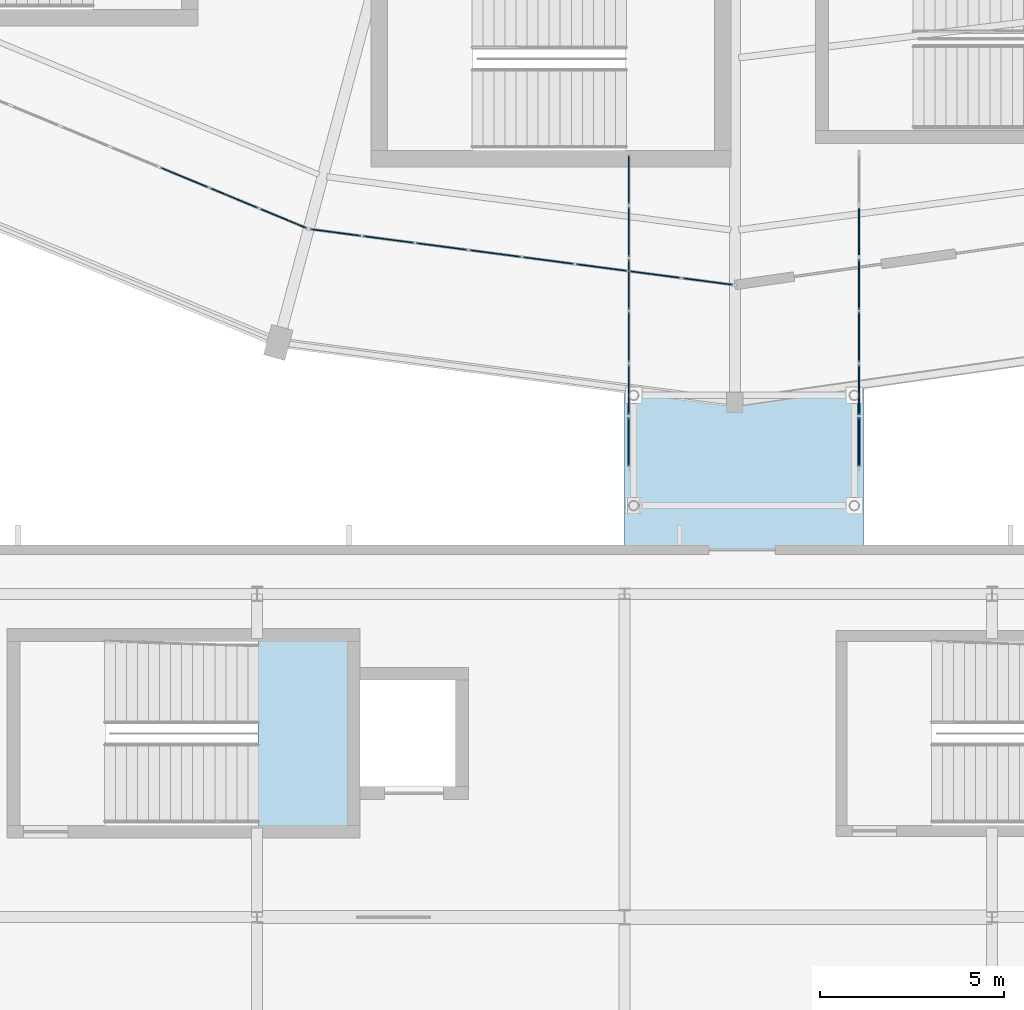
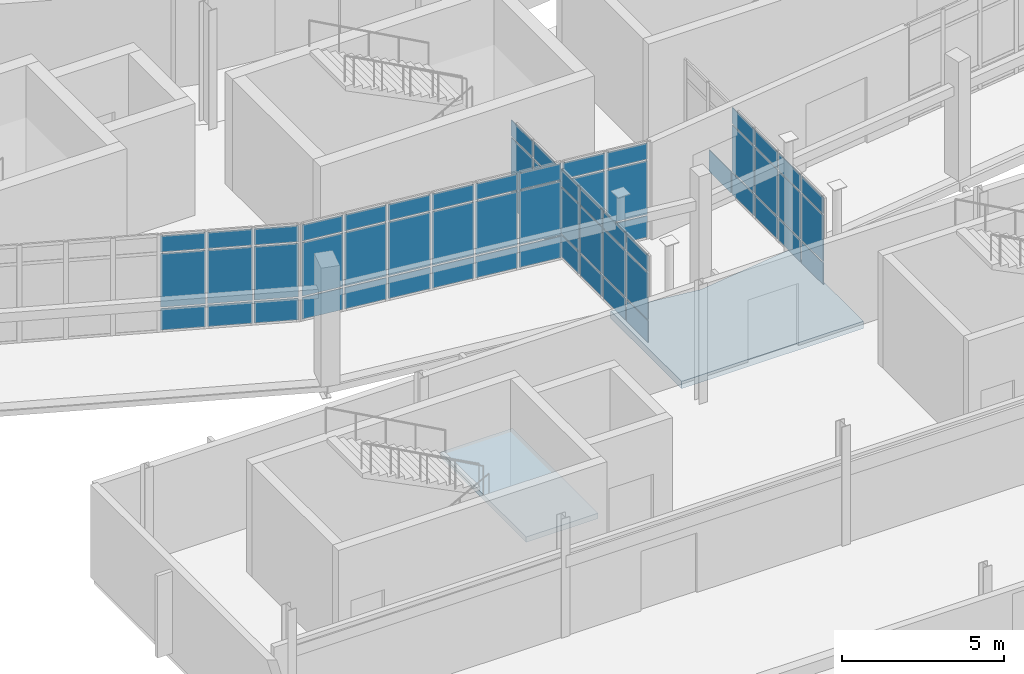
# One storey, part 80 of 122: 64 plates, 2 slabs, 5 elements without a shape of their own.
"""IFC4 building model written with IfcOpenShell, lengths in metres."""

from ifc_helpers import new_model, si_unit, direction, frame, origin, origin_2d, place, context, subcontext, project, spatial, polyline, rectangle, outline, extrude, material, layer, layer_set, type_object, element, aggregate, save


model = new_model("IFC4")

# Units and contexts
model_context = context("Model", 3, precision=1e-05, world=origin(), true_north=direction((0.0, 1.0)))
body_context = subcontext(model_context, "Body", "Model", "MODEL_VIEW")
ifc_project = project(units=[si_unit("LENGTHUNIT", "METRE"), si_unit("AREAUNIT", "SQUARE_METRE"), si_unit("VOLUMEUNIT", "CUBIC_METRE"), si_unit("PLANEANGLEUNIT", "RADIAN"), si_unit("MASSUNIT", "GRAM", prefix="KILO")], contexts=[model_context])

# Site, building, storey
site_placement = place(None, origin())
site = spatial("IfcSite", under=ifc_project, at=site_placement, CompositionType="ELEMENT")
building_placement = place(site_placement, origin())
building = spatial("IfcBuilding", under=site, at=building_placement, Name="Sohan Crest Arena", CompositionType="ELEMENT")
storey_placement = place(building_placement, origin())
storey = spatial("IfcBuildingStorey", under=building, at=storey_placement, Name="L00", CompositionType="ELEMENT", Elevation=0.0)

# Curtain wall, plates
ifc_material_1 = material(Name="Thermally broken anodised aluminium", Category="aluminium")
ifc_layer_1 = layer(ifc_material_1, 0.179931640625, Name="Thermally broken anodised aluminium")
ifc_layer_set_1 = layer_set([ifc_layer_1], Name="Thermally broken anodised aluminium")
curtain_wall_type_1 = type_object("IfcCurtainWallType", Name="ARC-CW01", PredefinedType="NOTDEFINED", material=ifc_layer_set_1)
curtain_wall_1_placement = place(storey_placement, origin())
curtain_wall_1 = element("IfcCurtainWall", 1, at=curtain_wall_1_placement, inside=storey, type_object=curtain_wall_type_1, Name="Unitised curtain wall CW-006", PredefinedType="NOTDEFINED")
ifc_material_2 = material(Name="Low-E double-glazed insulated glass", Category="glass")
ifc_layer_2 = layer(ifc_material_2, 0.028076171875, Name="Low-E double-glazed insulated glass")
ifc_layer_set_2 = layer_set([ifc_layer_2], Name="Low-E double-glazed insulated glass")
plate_type = type_object("IfcPlateType", Name="ARC-CNP01", PredefinedType="CURTAIN_PANEL", material=ifc_layer_set_2)
plate_1_placement = place(storey_placement, frame((83.0283203125, 36.12548828125, 0.06005859375), z_axis=(0.0, 0.0, 1.0), x_axis=(0.923896991255, -0.38264128051, 0.0)))
plate_1 = element("IfcPlate", 2, at=plate_1_placement, type_object=plate_type, Name="CW-006 panel 6.1", PredefinedType="CURTAIN_PANEL", context=body_context, shape_type="SweptSolid", body=[
    extrude(rectangle(XDim=1.40185546875, YDim=0.028076171875, at=origin_2d()), origin(), (0.0, 0.0, 1.0), 0.81005859375),
])
plate_2_placement = place(storey_placement, frame((83.0283203125, 36.12548828125, 0.929931640625), z_axis=(0.0, 0.0, 1.0), x_axis=(0.923896991255, -0.38264128051, 0.0)))
plate_2 = element("IfcPlate", 3, at=plate_2_placement, type_object=plate_type, Name="CW-006 panel 6.2", PredefinedType="CURTAIN_PANEL", context=body_context, shape_type="SweptSolid", body=[
    extrude(rectangle(XDim=1.40185546875, YDim=0.028076171875, at=origin_2d()), origin(), (0.0, 0.0, 1.0), 2.02001953125),
])
plate_3_placement = place(storey_placement, frame((83.0283203125, 36.12548828125, 3.009765625), z_axis=(0.0, 0.0, 1.0), x_axis=(0.923896991255, -0.38264128051, 0.0)))
plate_3 = element("IfcPlate", 4, at=plate_3_placement, type_object=plate_type, Name="CW-006 panel 6.3", PredefinedType="CURTAIN_PANEL", context=body_context, shape_type="SweptSolid", body=[
    extrude(rectangle(XDim=1.40185546875, YDim=0.028076171875, at=origin_2d()), origin(), (0.0, 0.0, 1.0), 0.610107421875),
])
plate_4_placement = place(storey_placement, frame((84.379150390625, 35.566162109375, 0.06005859375), z_axis=(0.0, 0.0, 1.0), x_axis=(0.923896991255, -0.38264128051, 0.0)))
plate_4 = element("IfcPlate", 5, at=plate_4_placement, type_object=plate_type, Name="CW-006 panel 7.1", PredefinedType="CURTAIN_PANEL", context=body_context, shape_type="SweptSolid", body=[
    extrude(rectangle(XDim=1.40185546875, YDim=0.028076171875, at=origin_2d()), origin(), (0.0, 0.0, 1.0), 0.81005859375),
])
plate_5_placement = place(storey_placement, frame((84.379150390625, 35.566162109375, 0.929931640625), z_axis=(0.0, 0.0, 1.0), x_axis=(0.923896991255, -0.38264128051, 0.0)))
plate_5 = element("IfcPlate", 6, at=plate_5_placement, type_object=plate_type, Name="CW-006 panel 7.2", PredefinedType="CURTAIN_PANEL", context=body_context, shape_type="SweptSolid", body=[
    extrude(rectangle(XDim=1.40185546875, YDim=0.028076171875, at=origin_2d()), origin(), (0.0, 0.0, 1.0), 2.02001953125),
])
plate_6_placement = place(storey_placement, frame((84.379150390625, 35.566162109375, 3.009765625), z_axis=(0.0, 0.0, 1.0), x_axis=(0.923896991255, -0.38264128051, 0.0)))
plate_6 = element("IfcPlate", 7, at=plate_6_placement, type_object=plate_type, Name="CW-006 panel 7.3", PredefinedType="CURTAIN_PANEL", context=body_context, shape_type="SweptSolid", body=[
    extrude(rectangle(XDim=1.40185546875, YDim=0.028076171875, at=origin_2d()), origin(), (0.0, 0.0, 1.0), 0.610107421875),
])
plate_7_placement = place(storey_placement, frame((85.7158203125, 35.012451171875, 0.06005859375), z_axis=(0.0, 0.0, 1.0), x_axis=(0.923896991255, -0.38264128051, 0.0)))
plate_7 = element("IfcPlate", 8, at=plate_7_placement, type_object=plate_type, Name="CW-006 panel 8.1", PredefinedType="CURTAIN_PANEL", context=body_context, shape_type="SweptSolid", body=[
    extrude(rectangle(XDim=1.371826171875, YDim=0.028076171875, at=origin_2d()), origin(), (0.0, 0.0, 1.0), 0.81005859375),
])
plate_8_placement = place(storey_placement, frame((85.7158203125, 35.012451171875, 0.929931640625), z_axis=(0.0, 0.0, 1.0), x_axis=(0.923896991255, -0.38264128051, 0.0)))
plate_8 = element("IfcPlate", 9, at=plate_8_placement, type_object=plate_type, Name="CW-006 panel 8.2", PredefinedType="CURTAIN_PANEL", context=body_context, shape_type="SweptSolid", body=[
    extrude(rectangle(XDim=1.371826171875, YDim=0.028076171875, at=origin_2d()), origin(), (0.0, 0.0, 1.0), 2.02001953125),
])
plate_9_placement = place(storey_placement, frame((85.7158203125, 35.012451171875, 3.009765625), z_axis=(0.0, 0.0, 1.0), x_axis=(0.923896991255, -0.38264128051, 0.0)))
plate_9 = element("IfcPlate", 10, at=plate_9_placement, type_object=plate_type, Name="CW-006 panel 8.3", PredefinedType="CURTAIN_PANEL", context=body_context, shape_type="SweptSolid", body=[
    extrude(rectangle(XDim=1.371826171875, YDim=0.028076171875, at=origin_2d()), origin(), (0.0, 0.0, 1.0), 0.610107421875),
])
aggregate(curtain_wall_1, [plate_1, plate_2, plate_3, plate_4, plate_5, plate_6, plate_7, plate_8, plate_9])

curtain_wall_2_placement = place(storey_placement, origin())
curtain_wall_2 = element("IfcCurtainWall", 11, at=curtain_wall_2_placement, inside=storey, type_object=curtain_wall_type_1, Name="Unitised curtain wall CW-007", PredefinedType="NOTDEFINED")
plate_10_placement = place(storey_placement, frame((87.14453125, 34.629638671875, 0.06005859375), z_axis=(0.0, 0.0, 1.0), x_axis=(0.991439446395, -0.13056731648, 0.0)))
plate_10 = element("IfcPlate", 12, at=plate_10_placement, type_object=plate_type, Name="CW-007 panel 1.1", PredefinedType="CURTAIN_PANEL", context=body_context, shape_type="SweptSolid", body=[
    extrude(rectangle(XDim=1.371826171875, YDim=0.028076171875, at=origin_2d()), origin(), (0.0, 0.0, 1.0), 0.81005859375),
])
plate_11_placement = place(storey_placement, frame((87.14453125, 34.629638671875, 0.929931640625), z_axis=(0.0, 0.0, 1.0), x_axis=(0.991439446395, -0.13056731648, 0.0)))
plate_11 = element("IfcPlate", 13, at=plate_11_placement, type_object=plate_type, Name="CW-007 panel 1.2", PredefinedType="CURTAIN_PANEL", context=body_context, shape_type="SweptSolid", body=[
    extrude(rectangle(XDim=1.371826171875, YDim=0.028076171875, at=origin_2d()), origin(), (0.0, 0.0, 1.0), 2.02001953125),
])
plate_12_placement = place(storey_placement, frame((87.14453125, 34.629638671875, 3.009765625), z_axis=(0.0, 0.0, 1.0), x_axis=(0.991439446395, -0.13056731648, 0.0)))
plate_12 = element("IfcPlate", 14, at=plate_12_placement, type_object=plate_type, Name="CW-007 panel 1.3", PredefinedType="CURTAIN_PANEL", context=body_context, shape_type="SweptSolid", body=[
    extrude(rectangle(XDim=1.371826171875, YDim=0.028076171875, at=origin_2d()), origin(), (0.0, 0.0, 1.0), 0.610107421875),
])
plate_13_placement = place(storey_placement, frame((88.5791015625, 34.440673828125, 0.06005859375), z_axis=(0.0, 0.0, 1.0), x_axis=(0.991439446395, -0.13056731648, 0.0)))
plate_13 = element("IfcPlate", 15, at=plate_13_placement, type_object=plate_type, Name="CW-007 panel 2.1", PredefinedType="CURTAIN_PANEL", context=body_context, shape_type="SweptSolid", body=[
    extrude(rectangle(XDim=1.40185546875, YDim=0.028076171875, at=origin_2d()), origin(), (0.0, 0.0, 1.0), 0.81005859375),
])
plate_14_placement = place(storey_placement, frame((88.5791015625, 34.440673828125, 0.929931640625), z_axis=(0.0, 0.0, 1.0), x_axis=(0.991439446395, -0.13056731648, 0.0)))
plate_14 = element("IfcPlate", 16, at=plate_14_placement, type_object=plate_type, Name="CW-007 panel 2.2", PredefinedType="CURTAIN_PANEL", context=body_context, shape_type="SweptSolid", body=[
    extrude(rectangle(XDim=1.40185546875, YDim=0.028076171875, at=origin_2d()), origin(), (0.0, 0.0, 1.0), 2.02001953125),
])
plate_15_placement = place(storey_placement, frame((88.5791015625, 34.440673828125, 3.009765625), z_axis=(0.0, 0.0, 1.0), x_axis=(0.991439446395, -0.13056731648, 0.0)))
plate_15 = element("IfcPlate", 17, at=plate_15_placement, type_object=plate_type, Name="CW-007 panel 2.3", PredefinedType="CURTAIN_PANEL", context=body_context, shape_type="SweptSolid", body=[
    extrude(rectangle(XDim=1.40185546875, YDim=0.028076171875, at=origin_2d()), origin(), (0.0, 0.0, 1.0), 0.610107421875),
])
plate_16_placement = place(storey_placement, frame((90.0283203125, 34.249755859375, 0.06005859375), z_axis=(0.0, 0.0, 1.0), x_axis=(0.991439446395, -0.13056731648, 0.0)))
plate_16 = element("IfcPlate", 18, at=plate_16_placement, type_object=plate_type, Name="CW-007 panel 3.1", PredefinedType="CURTAIN_PANEL", context=body_context, shape_type="SweptSolid", body=[
    extrude(rectangle(XDim=1.40185546875, YDim=0.028076171875, at=origin_2d()), origin(), (0.0, 0.0, 1.0), 0.81005859375),
])
plate_17_placement = place(storey_placement, frame((90.0283203125, 34.249755859375, 0.929931640625), z_axis=(0.0, 0.0, 1.0), x_axis=(0.991439446395, -0.13056731648, 0.0)))
plate_17 = element("IfcPlate", 19, at=plate_17_placement, type_object=plate_type, Name="CW-007 panel 3.2", PredefinedType="CURTAIN_PANEL", context=body_context, shape_type="SweptSolid", body=[
    extrude(rectangle(XDim=1.40185546875, YDim=0.028076171875, at=origin_2d()), origin(), (0.0, 0.0, 1.0), 2.02001953125),
])
plate_18_placement = place(storey_placement, frame((90.0283203125, 34.249755859375, 3.009765625), z_axis=(0.0, 0.0, 1.0), x_axis=(0.991439446395, -0.13056731648, 0.0)))
plate_18 = element("IfcPlate", 20, at=plate_18_placement, type_object=plate_type, Name="CW-007 panel 3.3", PredefinedType="CURTAIN_PANEL", context=body_context, shape_type="SweptSolid", body=[
    extrude(rectangle(XDim=1.40185546875, YDim=0.028076171875, at=origin_2d()), origin(), (0.0, 0.0, 1.0), 0.610107421875),
])
plate_19_placement = place(storey_placement, frame((91.477783203125, 34.058837890625, 0.06005859375), z_axis=(0.0, 0.0, 1.0), x_axis=(0.991439446395, -0.13056731648, 0.0)))
plate_19 = element("IfcPlate", 21, at=plate_19_placement, type_object=plate_type, Name="CW-007 panel 4.1", PredefinedType="CURTAIN_PANEL", context=body_context, shape_type="SweptSolid", body=[
    extrude(rectangle(XDim=1.40185546875, YDim=0.028076171875, at=origin_2d()), origin(), (0.0, 0.0, 1.0), 0.81005859375),
])
plate_20_placement = place(storey_placement, frame((91.477783203125, 34.058837890625, 0.929931640625), z_axis=(0.0, 0.0, 1.0), x_axis=(0.991439446395, -0.13056731648, 0.0)))
plate_20 = element("IfcPlate", 22, at=plate_20_placement, type_object=plate_type, Name="CW-007 panel 4.2", PredefinedType="CURTAIN_PANEL", context=body_context, shape_type="SweptSolid", body=[
    extrude(rectangle(XDim=1.40185546875, YDim=0.028076171875, at=origin_2d()), origin(), (0.0, 0.0, 1.0), 2.02001953125),
])
plate_21_placement = place(storey_placement, frame((91.477783203125, 34.058837890625, 3.009765625), z_axis=(0.0, 0.0, 1.0), x_axis=(0.991439446395, -0.13056731648, 0.0)))
plate_21 = element("IfcPlate", 23, at=plate_21_placement, type_object=plate_type, Name="CW-007 panel 4.3", PredefinedType="CURTAIN_PANEL", context=body_context, shape_type="SweptSolid", body=[
    extrude(rectangle(XDim=1.40185546875, YDim=0.028076171875, at=origin_2d()), origin(), (0.0, 0.0, 1.0), 0.610107421875),
])
plate_22_placement = place(storey_placement, frame((92.92724609375, 33.8681640625, 0.06005859375), z_axis=(0.0, 0.0, 1.0), x_axis=(0.991439446395, -0.13056731648, 0.0)))
plate_22 = element("IfcPlate", 24, at=plate_22_placement, type_object=plate_type, Name="CW-007 panel 5.1", PredefinedType="CURTAIN_PANEL", context=body_context, shape_type="SweptSolid", body=[
    extrude(rectangle(XDim=1.40185546875, YDim=0.028076171875, at=origin_2d()), origin(), (0.0, 0.0, 1.0), 0.81005859375),
])
plate_23_placement = place(storey_placement, frame((92.92724609375, 33.8681640625, 0.929931640625), z_axis=(0.0, 0.0, 1.0), x_axis=(0.991439446395, -0.13056731648, 0.0)))
plate_23 = element("IfcPlate", 25, at=plate_23_placement, type_object=plate_type, Name="CW-007 panel 5.2", PredefinedType="CURTAIN_PANEL", context=body_context, shape_type="SweptSolid", body=[
    extrude(rectangle(XDim=1.40185546875, YDim=0.028076171875, at=origin_2d()), origin(), (0.0, 0.0, 1.0), 2.02001953125),
])
plate_24_placement = place(storey_placement, frame((92.92724609375, 33.8681640625, 3.009765625), z_axis=(0.0, 0.0, 1.0), x_axis=(0.991439446395, -0.13056731648, 0.0)))
plate_24 = element("IfcPlate", 26, at=plate_24_placement, type_object=plate_type, Name="CW-007 panel 5.3", PredefinedType="CURTAIN_PANEL", context=body_context, shape_type="SweptSolid", body=[
    extrude(rectangle(XDim=1.40185546875, YDim=0.028076171875, at=origin_2d()), origin(), (0.0, 0.0, 1.0), 0.610107421875),
])
plate_25_placement = place(storey_placement, frame((94.37646484375, 33.67724609375, 0.06005859375), z_axis=(0.0, 0.0, 1.0), x_axis=(0.991439446395, -0.13056731648, 0.0)))
plate_25 = element("IfcPlate", 27, at=plate_25_placement, type_object=plate_type, Name="CW-007 panel 6.1", PredefinedType="CURTAIN_PANEL", context=body_context, shape_type="SweptSolid", body=[
    extrude(rectangle(XDim=1.40185546875, YDim=0.028076171875, at=origin_2d()), origin(), (0.0, 0.0, 1.0), 0.81005859375),
])
plate_26_placement = place(storey_placement, frame((94.37646484375, 33.67724609375, 0.929931640625), z_axis=(0.0, 0.0, 1.0), x_axis=(0.991439446395, -0.13056731648, 0.0)))
plate_26 = element("IfcPlate", 28, at=plate_26_placement, type_object=plate_type, Name="CW-007 panel 6.2", PredefinedType="CURTAIN_PANEL", context=body_context, shape_type="SweptSolid", body=[
    extrude(rectangle(XDim=1.40185546875, YDim=0.028076171875, at=origin_2d()), origin(), (0.0, 0.0, 1.0), 2.02001953125),
])
plate_27_placement = place(storey_placement, frame((94.37646484375, 33.67724609375, 3.009765625), z_axis=(0.0, 0.0, 1.0), x_axis=(0.991439446395, -0.13056731648, 0.0)))
plate_27 = element("IfcPlate", 29, at=plate_27_placement, type_object=plate_type, Name="CW-007 panel 6.3", PredefinedType="CURTAIN_PANEL", context=body_context, shape_type="SweptSolid", body=[
    extrude(rectangle(XDim=1.40185546875, YDim=0.028076171875, at=origin_2d()), origin(), (0.0, 0.0, 1.0), 0.610107421875),
])
plate_28_placement = place(storey_placement, frame((95.825927734375, 33.486328125, 0.06005859375), z_axis=(0.0, 0.0, 1.0), x_axis=(0.991439446395, -0.13056731648, 0.0)))
plate_28 = element("IfcPlate", 30, at=plate_28_placement, type_object=plate_type, Name="CW-007 panel 7.1", PredefinedType="CURTAIN_PANEL", context=body_context, shape_type="SweptSolid", body=[
    extrude(rectangle(XDim=1.40185546875, YDim=0.028076171875, at=origin_2d()), origin(), (0.0, 0.0, 1.0), 0.81005859375),
])
plate_29_placement = place(storey_placement, frame((95.825927734375, 33.486328125, 0.929931640625), z_axis=(0.0, 0.0, 1.0), x_axis=(0.991439446395, -0.13056731648, 0.0)))
plate_29 = element("IfcPlate", 31, at=plate_29_placement, type_object=plate_type, Name="CW-007 panel 7.2", PredefinedType="CURTAIN_PANEL", context=body_context, shape_type="SweptSolid", body=[
    extrude(rectangle(XDim=1.40185546875, YDim=0.028076171875, at=origin_2d()), origin(), (0.0, 0.0, 1.0), 2.02001953125),
])
plate_30_placement = place(storey_placement, frame((95.825927734375, 33.486328125, 3.009765625), z_axis=(0.0, 0.0, 1.0), x_axis=(0.991439446395, -0.13056731648, 0.0)))
plate_30 = element("IfcPlate", 32, at=plate_30_placement, type_object=plate_type, Name="CW-007 panel 7.3", PredefinedType="CURTAIN_PANEL", context=body_context, shape_type="SweptSolid", body=[
    extrude(rectangle(XDim=1.40185546875, YDim=0.028076171875, at=origin_2d()), origin(), (0.0, 0.0, 1.0), 0.610107421875),
])
plate_31_placement = place(storey_placement, frame((97.260498046875, 33.29736328125, 0.06005859375), z_axis=(0.0, 0.0, 1.0), x_axis=(0.991439446395, -0.13056731648, 0.0)))
plate_31 = element("IfcPlate", 33, at=plate_31_placement, type_object=plate_type, Name="CW-007 panel 8.1", PredefinedType="CURTAIN_PANEL", context=body_context, shape_type="SweptSolid", body=[
    extrude(rectangle(XDim=1.371826171875, YDim=0.028076171875, at=origin_2d()), origin(), (0.0, 0.0, 1.0), 0.81005859375),
])
plate_32_placement = place(storey_placement, frame((97.260498046875, 33.29736328125, 0.929931640625), z_axis=(0.0, 0.0, 1.0), x_axis=(0.991439446395, -0.13056731648, 0.0)))
plate_32 = element("IfcPlate", 34, at=plate_32_placement, type_object=plate_type, Name="CW-007 panel 8.2", PredefinedType="CURTAIN_PANEL", context=body_context, shape_type="SweptSolid", body=[
    extrude(rectangle(XDim=1.371826171875, YDim=0.028076171875, at=origin_2d()), origin(), (0.0, 0.0, 1.0), 2.02001953125),
])
plate_33_placement = place(storey_placement, frame((97.260498046875, 33.29736328125, 3.009765625), z_axis=(0.0, 0.0, 1.0), x_axis=(0.991439446395, -0.13056731648, 0.0)))
plate_33 = element("IfcPlate", 35, at=plate_33_placement, type_object=plate_type, Name="CW-007 panel 8.3", PredefinedType="CURTAIN_PANEL", context=body_context, shape_type="SweptSolid", body=[
    extrude(rectangle(XDim=1.371826171875, YDim=0.028076171875, at=origin_2d()), origin(), (0.0, 0.0, 1.0), 0.610107421875),
])
aggregate(curtain_wall_2, [plate_10, plate_11, plate_12, plate_13, plate_14, plate_15, plate_16, plate_17, plate_18, plate_19, plate_20, plate_21, plate_22, plate_23, plate_24, plate_25, plate_26, plate_27, plate_28, plate_29, plate_30, plate_31, plate_32, plate_33])

ifc_layer_3 = layer(ifc_material_1, 0.18994140625, Name="Thermally broken anodised aluminium")
ifc_layer_set_3 = layer_set([ifc_layer_3], Name="Thermally broken anodised aluminium")
curtain_wall_type_2 = type_object("IfcCurtainWallType", Name="ARC-CW05", PredefinedType="NOTDEFINED", material=ifc_layer_set_3)
curtain_wall_3_placement = place(storey_placement, origin())
curtain_wall_3 = element("IfcCurtainWall", 36, at=curtain_wall_3_placement, inside=storey, type_object=curtain_wall_type_2, Name="Unitised curtain wall CW-247", PredefinedType="NOTDEFINED")
plate_34_placement = place(storey_placement, frame((95.1201171875, 28.932861328125, 0.06005859375), z_axis=(0.0, 0.0, 1.0), x_axis=(0.0, 1.0, 0.0)))
plate_34 = element("IfcPlate", 37, at=plate_34_placement, type_object=plate_type, Name="CW-247 panel 1.1", PredefinedType="CURTAIN_PANEL", context=body_context, shape_type="SweptSolid", body=[
    extrude(rectangle(XDim=1.3359375, YDim=0.028076171875, at=origin_2d()), origin(), (0.0, 0.0, 1.0), 0.81005859375),
])
plate_35_placement = place(storey_placement, frame((95.1201171875, 28.932861328125, 0.93017578125), z_axis=(0.0, 0.0, 1.0), x_axis=(0.0, 1.0, 0.0)))
plate_35 = element("IfcPlate", 38, at=plate_35_placement, type_object=plate_type, Name="CW-247 panel 1.2", PredefinedType="CURTAIN_PANEL", context=body_context, shape_type="SweptSolid", body=[
    extrude(rectangle(XDim=1.3359375, YDim=0.028076171875, at=origin_2d()), origin(), (0.0, 0.0, 1.0), 1.739990234375),
])
plate_36_placement = place(storey_placement, frame((95.1201171875, 28.932861328125, 2.72998046875), z_axis=(0.0, 0.0, 1.0), x_axis=(0.0, 1.0, 0.0)))
plate_36 = element("IfcPlate", 39, at=plate_36_placement, type_object=plate_type, Name="CW-247 panel 1.3", PredefinedType="CURTAIN_PANEL", context=body_context, shape_type="SweptSolid", body=[
    extrude(rectangle(XDim=1.3359375, YDim=0.028076171875, at=origin_2d()), origin(), (0.0, 0.0, 1.0), 0.610107421875),
])
plate_37_placement = place(storey_placement, frame((95.1201171875, 30.35009765625, 0.06005859375), z_axis=(0.0, 0.0, 1.0), x_axis=(0.0, 1.0, 0.0)))
plate_37 = element("IfcPlate", 40, at=plate_37_placement, type_object=plate_type, Name="CW-247 panel 2.1", PredefinedType="CURTAIN_PANEL", context=body_context, shape_type="SweptSolid", body=[
    extrude(rectangle(XDim=1.368408203125, YDim=0.028076171875, at=origin_2d()), origin(), (0.0, 0.0, 1.0), 0.81005859375),
])
plate_38_placement = place(storey_placement, frame((95.1201171875, 30.35009765625, 0.93017578125), z_axis=(0.0, 0.0, 1.0), x_axis=(0.0, 1.0, 0.0)))
plate_38 = element("IfcPlate", 41, at=plate_38_placement, type_object=plate_type, Name="CW-247 panel 2.2", PredefinedType="CURTAIN_PANEL", context=body_context, shape_type="SweptSolid", body=[
    extrude(rectangle(XDim=1.368408203125, YDim=0.028076171875, at=origin_2d()), origin(), (0.0, 0.0, 1.0), 1.739990234375),
])
plate_39_placement = place(storey_placement, frame((95.1201171875, 30.35009765625, 2.72998046875), z_axis=(0.0, 0.0, 1.0), x_axis=(0.0, 1.0, 0.0)))
plate_39 = element("IfcPlate", 42, at=plate_39_placement, type_object=plate_type, Name="CW-247 panel 2.3", PredefinedType="CURTAIN_PANEL", context=body_context, shape_type="SweptSolid", body=[
    extrude(rectangle(XDim=1.368408203125, YDim=0.028076171875, at=origin_2d()), origin(), (0.0, 0.0, 1.0), 0.610107421875),
])
plate_40_placement = place(storey_placement, frame((95.1201171875, 31.783447265625, 0.06005859375), z_axis=(0.0, 0.0, 1.0), x_axis=(0.0, 1.0, 0.0)))
plate_40 = element("IfcPlate", 43, at=plate_40_placement, type_object=plate_type, Name="CW-247 panel 3.1", PredefinedType="CURTAIN_PANEL", context=body_context, shape_type="SweptSolid", body=[
    extrude(rectangle(XDim=1.368408203125, YDim=0.028076171875, at=origin_2d()), origin(), (0.0, 0.0, 1.0), 0.81005859375),
])
plate_41_placement = place(storey_placement, frame((95.1201171875, 31.783447265625, 0.93017578125), z_axis=(0.0, 0.0, 1.0), x_axis=(0.0, 1.0, 0.0)))
plate_41 = element("IfcPlate", 44, at=plate_41_placement, type_object=plate_type, Name="CW-247 panel 3.2", PredefinedType="CURTAIN_PANEL", context=body_context, shape_type="SweptSolid", body=[
    extrude(rectangle(XDim=1.368408203125, YDim=0.028076171875, at=origin_2d()), origin(), (0.0, 0.0, 1.0), 1.739990234375),
])
plate_42_placement = place(storey_placement, frame((95.1201171875, 31.783447265625, 2.72998046875), z_axis=(0.0, 0.0, 1.0), x_axis=(0.0, 1.0, 0.0)))
plate_42 = element("IfcPlate", 45, at=plate_42_placement, type_object=plate_type, Name="CW-247 panel 3.3", PredefinedType="CURTAIN_PANEL", context=body_context, shape_type="SweptSolid", body=[
    extrude(rectangle(XDim=1.368408203125, YDim=0.028076171875, at=origin_2d()), origin(), (0.0, 0.0, 1.0), 0.610107421875),
])
plate_43_placement = place(storey_placement, frame((95.1201171875, 33.216552734375, 0.06005859375), z_axis=(0.0, 0.0, 1.0), x_axis=(0.0, 1.0, 0.0)))
plate_43 = element("IfcPlate", 46, at=plate_43_placement, type_object=plate_type, Name="CW-247 panel 4.1", PredefinedType="CURTAIN_PANEL", context=body_context, shape_type="SweptSolid", body=[
    extrude(rectangle(XDim=1.368408203125, YDim=0.028076171875, at=origin_2d()), origin(), (0.0, 0.0, 1.0), 0.81005859375),
])
plate_44_placement = place(storey_placement, frame((95.1201171875, 33.216552734375, 0.93017578125), z_axis=(0.0, 0.0, 1.0), x_axis=(0.0, 1.0, 0.0)))
plate_44 = element("IfcPlate", 47, at=plate_44_placement, type_object=plate_type, Name="CW-247 panel 4.2", PredefinedType="CURTAIN_PANEL", context=body_context, shape_type="SweptSolid", body=[
    extrude(rectangle(XDim=1.368408203125, YDim=0.028076171875, at=origin_2d()), origin(), (0.0, 0.0, 1.0), 1.739990234375),
])
plate_45_placement = place(storey_placement, frame((95.1201171875, 33.216552734375, 2.72998046875), z_axis=(0.0, 0.0, 1.0), x_axis=(0.0, 1.0, 0.0)))
plate_45 = element("IfcPlate", 48, at=plate_45_placement, type_object=plate_type, Name="CW-247 panel 4.3", PredefinedType="CURTAIN_PANEL", context=body_context, shape_type="SweptSolid", body=[
    extrude(rectangle(XDim=1.368408203125, YDim=0.028076171875, at=origin_2d()), origin(), (0.0, 0.0, 1.0), 0.610107421875),
])
plate_46_placement = place(storey_placement, frame((95.1201171875, 34.64990234375, 0.06005859375), z_axis=(0.0, 0.0, 1.0), x_axis=(0.0, 1.0, 0.0)))
plate_46 = element("IfcPlate", 49, at=plate_46_placement, type_object=plate_type, Name="CW-247 panel 5.1", PredefinedType="CURTAIN_PANEL", context=body_context, shape_type="SweptSolid", body=[
    extrude(rectangle(XDim=1.368408203125, YDim=0.028076171875, at=origin_2d()), origin(), (0.0, 0.0, 1.0), 0.81005859375),
])
plate_47_placement = place(storey_placement, frame((95.1201171875, 34.64990234375, 0.93017578125), z_axis=(0.0, 0.0, 1.0), x_axis=(0.0, 1.0, 0.0)))
plate_47 = element("IfcPlate", 50, at=plate_47_placement, type_object=plate_type, Name="CW-247 panel 5.2", PredefinedType="CURTAIN_PANEL", context=body_context, shape_type="SweptSolid", body=[
    extrude(rectangle(XDim=1.368408203125, YDim=0.028076171875, at=origin_2d()), origin(), (0.0, 0.0, 1.0), 1.739990234375),
])
plate_48_placement = place(storey_placement, frame((95.1201171875, 34.64990234375, 2.72998046875), z_axis=(0.0, 0.0, 1.0), x_axis=(0.0, 1.0, 0.0)))
plate_48 = element("IfcPlate", 51, at=plate_48_placement, type_object=plate_type, Name="CW-247 panel 5.3", PredefinedType="CURTAIN_PANEL", context=body_context, shape_type="SweptSolid", body=[
    extrude(rectangle(XDim=1.368408203125, YDim=0.028076171875, at=origin_2d()), origin(), (0.0, 0.0, 1.0), 0.610107421875),
])
plate_49_placement = place(storey_placement, frame((95.1201171875, 36.067138671875, 0.06005859375), z_axis=(0.0, 0.0, 1.0), x_axis=(0.0, 1.0, 0.0)))
plate_49 = element("IfcPlate", 52, at=plate_49_placement, type_object=plate_type, Name="CW-247 panel 6.1", PredefinedType="CURTAIN_PANEL", context=body_context, shape_type="SweptSolid", body=[
    extrude(rectangle(XDim=1.3359375, YDim=0.028076171875, at=origin_2d()), origin(), (0.0, 0.0, 1.0), 0.81005859375),
])
plate_50_placement = place(storey_placement, frame((95.1201171875, 36.067138671875, 0.93017578125), z_axis=(0.0, 0.0, 1.0), x_axis=(0.0, 1.0, 0.0)))
plate_50 = element("IfcPlate", 53, at=plate_50_placement, type_object=plate_type, Name="CW-247 panel 6.2", PredefinedType="CURTAIN_PANEL", context=body_context, shape_type="SweptSolid", body=[
    extrude(rectangle(XDim=1.3359375, YDim=0.028076171875, at=origin_2d()), origin(), (0.0, 0.0, 1.0), 1.739990234375),
])
plate_51_placement = place(storey_placement, frame((95.1201171875, 36.067138671875, 2.72998046875), z_axis=(0.0, 0.0, 1.0), x_axis=(0.0, 1.0, 0.0)))
plate_51 = element("IfcPlate", 54, at=plate_51_placement, type_object=plate_type, Name="CW-247 panel 6.3", PredefinedType="CURTAIN_PANEL", context=body_context, shape_type="SweptSolid", body=[
    extrude(rectangle(XDim=1.3359375, YDim=0.028076171875, at=origin_2d()), origin(), (0.0, 0.0, 1.0), 0.610107421875),
])
aggregate(curtain_wall_3, [plate_34, plate_35, plate_36, plate_37, plate_38, plate_39, plate_40, plate_41, plate_42, plate_43, plate_44, plate_45, plate_46, plate_47, plate_48, plate_49, plate_50, plate_51])

curtain_wall_4_placement = place(storey_placement, origin())
curtain_wall_4 = element("IfcCurtainWall", 55, at=curtain_wall_4_placement, inside=storey, type_object=curtain_wall_type_2, Name="Unitised curtain wall CW-248", PredefinedType="NOTDEFINED")
plate_52_placement = place(storey_placement, frame((101.3798828125, 28.932861328125, 0.06005859375), z_axis=(0.0, 0.0, 1.0), x_axis=(0.0, 1.0, 0.0)))
plate_52 = element("IfcPlate", 56, at=plate_52_placement, type_object=plate_type, Name="CW-248 panel 1.1", PredefinedType="CURTAIN_PANEL", context=body_context, shape_type="SweptSolid", body=[
    extrude(rectangle(XDim=1.3359375, YDim=0.028076171875, at=origin_2d()), origin(), (0.0, 0.0, 1.0), 0.81005859375),
])
plate_53_placement = place(storey_placement, frame((101.3798828125, 28.932861328125, 0.93017578125), z_axis=(0.0, 0.0, 1.0), x_axis=(0.0, 1.0, 0.0)))
plate_53 = element("IfcPlate", 57, at=plate_53_placement, type_object=plate_type, Name="CW-248 panel 1.2", PredefinedType="CURTAIN_PANEL", context=body_context, shape_type="SweptSolid", body=[
    extrude(rectangle(XDim=1.3359375, YDim=0.028076171875, at=origin_2d()), origin(), (0.0, 0.0, 1.0), 1.739990234375),
])
plate_54_placement = place(storey_placement, frame((101.3798828125, 28.932861328125, 2.72998046875), z_axis=(0.0, 0.0, 1.0), x_axis=(0.0, 1.0, 0.0)))
plate_54 = element("IfcPlate", 58, at=plate_54_placement, type_object=plate_type, Name="CW-248 panel 1.3", PredefinedType="CURTAIN_PANEL", context=body_context, shape_type="SweptSolid", body=[
    extrude(rectangle(XDim=1.3359375, YDim=0.028076171875, at=origin_2d()), origin(), (0.0, 0.0, 1.0), 0.610107421875),
])
plate_55_placement = place(storey_placement, frame((101.3798828125, 30.35009765625, 0.06005859375), z_axis=(0.0, 0.0, 1.0), x_axis=(0.0, 1.0, 0.0)))
plate_55 = element("IfcPlate", 59, at=plate_55_placement, type_object=plate_type, Name="CW-248 panel 2.1", PredefinedType="CURTAIN_PANEL", context=body_context, shape_type="SweptSolid", body=[
    extrude(rectangle(XDim=1.368408203125, YDim=0.028076171875, at=origin_2d()), origin(), (0.0, 0.0, 1.0), 0.81005859375),
])
plate_56_placement = place(storey_placement, frame((101.3798828125, 30.35009765625, 0.93017578125), z_axis=(0.0, 0.0, 1.0), x_axis=(0.0, 1.0, 0.0)))
plate_56 = element("IfcPlate", 60, at=plate_56_placement, type_object=plate_type, Name="CW-248 panel 2.2", PredefinedType="CURTAIN_PANEL", context=body_context, shape_type="SweptSolid", body=[
    extrude(rectangle(XDim=1.368408203125, YDim=0.028076171875, at=origin_2d()), origin(), (0.0, 0.0, 1.0), 1.739990234375),
])
plate_57_placement = place(storey_placement, frame((101.3798828125, 30.35009765625, 2.72998046875), z_axis=(0.0, 0.0, 1.0), x_axis=(0.0, 1.0, 0.0)))
plate_57 = element("IfcPlate", 61, at=plate_57_placement, type_object=plate_type, Name="CW-248 panel 2.3", PredefinedType="CURTAIN_PANEL", context=body_context, shape_type="SweptSolid", body=[
    extrude(rectangle(XDim=1.368408203125, YDim=0.028076171875, at=origin_2d()), origin(), (0.0, 0.0, 1.0), 0.610107421875),
])
plate_58_placement = place(storey_placement, frame((101.3798828125, 31.783447265625, 0.06005859375), z_axis=(0.0, 0.0, 1.0), x_axis=(0.0, 1.0, 0.0)))
plate_58 = element("IfcPlate", 62, at=plate_58_placement, type_object=plate_type, Name="CW-248 panel 3.1", PredefinedType="CURTAIN_PANEL", context=body_context, shape_type="SweptSolid", body=[
    extrude(rectangle(XDim=1.368408203125, YDim=0.028076171875, at=origin_2d()), origin(), (0.0, 0.0, 1.0), 0.81005859375),
])
plate_59_placement = place(storey_placement, frame((101.3798828125, 31.783447265625, 0.93017578125), z_axis=(0.0, 0.0, 1.0), x_axis=(0.0, 1.0, 0.0)))
plate_59 = element("IfcPlate", 63, at=plate_59_placement, type_object=plate_type, Name="CW-248 panel 3.2", PredefinedType="CURTAIN_PANEL", context=body_context, shape_type="SweptSolid", body=[
    extrude(rectangle(XDim=1.368408203125, YDim=0.028076171875, at=origin_2d()), origin(), (0.0, 0.0, 1.0), 1.739990234375),
])
plate_60_placement = place(storey_placement, frame((101.3798828125, 31.783447265625, 2.72998046875), z_axis=(0.0, 0.0, 1.0), x_axis=(0.0, 1.0, 0.0)))
plate_60 = element("IfcPlate", 64, at=plate_60_placement, type_object=plate_type, Name="CW-248 panel 3.3", PredefinedType="CURTAIN_PANEL", context=body_context, shape_type="SweptSolid", body=[
    extrude(rectangle(XDim=1.368408203125, YDim=0.028076171875, at=origin_2d()), origin(), (0.0, 0.0, 1.0), 0.610107421875),
])
plate_61_placement = place(storey_placement, frame((101.3798828125, 33.216552734375, 0.06005859375), z_axis=(0.0, 0.0, 1.0), x_axis=(0.0, 1.0, 0.0)))
plate_61 = element("IfcPlate", 65, at=plate_61_placement, type_object=plate_type, Name="CW-248 panel 4.1", PredefinedType="CURTAIN_PANEL", context=body_context, shape_type="SweptSolid", body=[
    extrude(rectangle(XDim=1.368408203125, YDim=0.028076171875, at=origin_2d()), origin(), (0.0, 0.0, 1.0), 0.81005859375),
])
plate_62_placement = place(storey_placement, frame((101.3798828125, 33.216552734375, 0.93017578125), z_axis=(0.0, 0.0, 1.0), x_axis=(0.0, 1.0, 0.0)))
plate_62 = element("IfcPlate", 66, at=plate_62_placement, type_object=plate_type, Name="CW-248 panel 4.2", PredefinedType="CURTAIN_PANEL", context=body_context, shape_type="SweptSolid", body=[
    extrude(rectangle(XDim=1.368408203125, YDim=0.028076171875, at=origin_2d()), origin(), (0.0, 0.0, 1.0), 1.739990234375),
])
plate_63_placement = place(storey_placement, frame((101.3798828125, 33.216552734375, 2.72998046875), z_axis=(0.0, 0.0, 1.0), x_axis=(0.0, 1.0, 0.0)))
plate_63 = element("IfcPlate", 67, at=plate_63_placement, type_object=plate_type, Name="CW-248 panel 4.3", PredefinedType="CURTAIN_PANEL", context=body_context, shape_type="SweptSolid", body=[
    extrude(rectangle(XDim=1.368408203125, YDim=0.028076171875, at=origin_2d()), origin(), (0.0, 0.0, 1.0), 0.610107421875),
])
plate_64_placement = place(storey_placement, frame((101.3798828125, 34.64990234375, 0.06005859375), z_axis=(0.0, 0.0, 1.0), x_axis=(0.0, 1.0, 0.0)))
plate_64 = element("IfcPlate", 68, at=plate_64_placement, type_object=plate_type, Name="CW-248 panel 5.1", PredefinedType="CURTAIN_PANEL", context=body_context, shape_type="SweptSolid", body=[
    extrude(rectangle(XDim=1.368408203125, YDim=0.028076171875, at=origin_2d()), origin(), (0.0, 0.0, 1.0), 0.81005859375),
])
aggregate(curtain_wall_4, [plate_52, plate_53, plate_54, plate_55, plate_56, plate_57, plate_58, plate_59, plate_60, plate_61, plate_62, plate_63, plate_64])

# Slab
ifc_material_3 = material(Name="Concrete C40/50", Category="concrete")
ifc_layer_4 = layer(ifc_material_3, 0.27490234375, Name="Concrete C40/50")
ifc_layer_set_4 = layer_set([ifc_layer_4], Name="Concrete C40/50")
slab_type_1 = type_object("IfcSlabType", Name="SL-FLR4", PredefinedType="FLOOR", material=ifc_layer_set_4)
slab_1_placement = place(storey_placement, frame((0.0, 0.0, -0.27490234375)))
element("IfcSlab", 69, at=slab_1_placement, inside=storey, type_object=slab_type_1, Name="Covered bridge BR-S1 L00 deck SL-BR-S1-L00", PredefinedType="FLOOR", context=body_context, shape_type="SweptSolid", body=[
    extrude(outline(polyline([(101.5, 26.0), (95.0, 26.0), (95.0, 30.39501953125), (98.0, 30.0), (101.5, 30.5), (101.5, 26.0)])), origin(), (0.0, 0.0, 1.0), 0.27490234375),
])

# Stair, slab
stair_type = type_object("IfcStairType", Name="ST-450W", PredefinedType="TWO_STRAIGHT_RUN_STAIR", material=ifc_material_3)
stair_placement = place(storey_placement, origin())
stair = element("IfcStair", 70, at=stair_placement, inside=storey, type_object=stair_type, Name="Protected exit stair ST17-L00", PredefinedType="TWO_STRAIGHT_RUN_STAIR")
ifc_layer_5 = layer(ifc_material_3, 0.199951171875, Name="Concrete C40/50")
ifc_layer_set_5 = layer_set([ifc_layer_5], Name="Concrete C40/50")
slab_type_2 = type_object("IfcSlabType", Name="SL-LND1", PredefinedType="LANDING", material=ifc_layer_set_5)
slab_2_placement = place(storey_placement, frame((0.0, 0.0, 2.050048828125)))
slab_2 = element("IfcSlab", 71, at=slab_2_placement, type_object=slab_type_2, Name="ST17-L00 landing 1", PredefinedType="LANDING", context=body_context, shape_type="SweptSolid", body=[
    extrude(outline(polyline([(85.030029296875, 18.35009765625), (87.60009765625, 18.35009765625), (87.60009765625, 23.64990234375), (85.030029296875, 23.64990234375), (85.030029296875, 18.35009765625)])), origin(), (0.0, 0.0, 1.0), 0.199951171875),
])
aggregate(stair, [slab_2])

save(model, "model.ifc")
